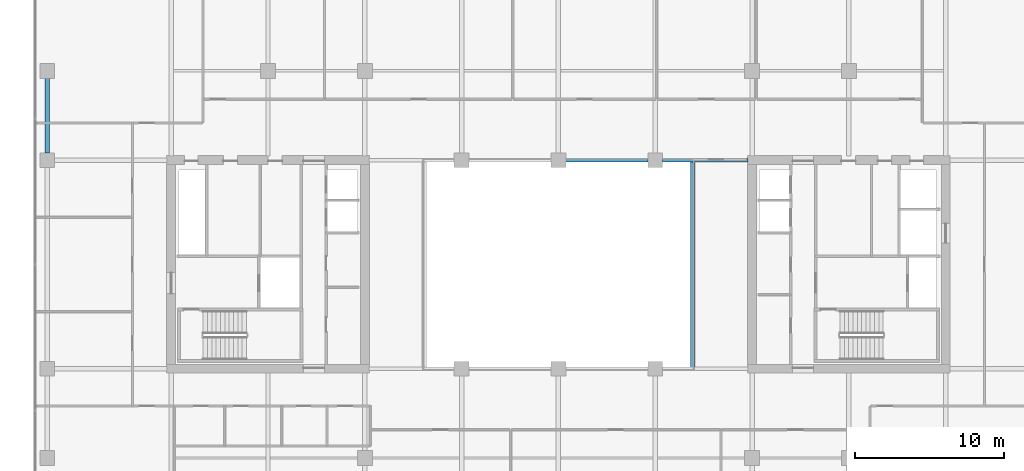
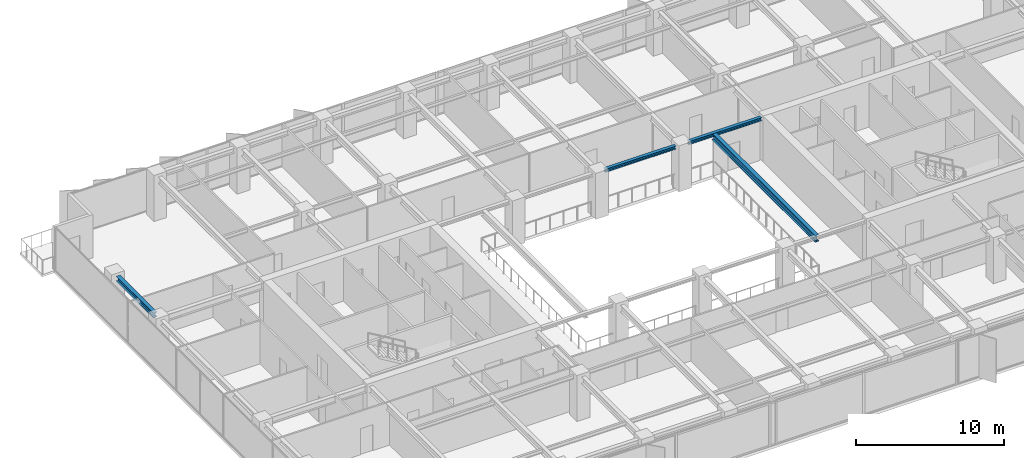
# One storey, part 7 of 22: 4 beams.
"""IFC4 building model written with IfcOpenShell, lengths in metres."""

from ifc_helpers import new_model, si_unit, direction, frame, origin, origin_2d, place, context, subcontext, project, spatial, i_section, extrude, material, material_profile, profile_set, type_object, element, save


model = new_model("IFC4")

# Units and contexts
model_context = context("Model", 3, precision=1e-05, world=origin(), true_north=direction((0.0, 1.0)))
body_context = subcontext(model_context, "Body", "Model", "MODEL_VIEW")
ifc_project = project(units=[si_unit("LENGTHUNIT", "METRE"), si_unit("AREAUNIT", "SQUARE_METRE"), si_unit("VOLUMEUNIT", "CUBIC_METRE"), si_unit("PLANEANGLEUNIT", "RADIAN"), si_unit("MASSUNIT", "GRAM", prefix="KILO")], contexts=[model_context])

# Site, building, storey
site_placement = place(None, origin())
site = spatial("IfcSite", under=ifc_project, at=site_placement, CompositionType="ELEMENT")
building_placement = place(site_placement, origin())
building = spatial("IfcBuilding", under=site, at=building_placement, Name="Putna Gate Headquarters", CompositionType="ELEMENT")
storey_placement = place(building_placement, frame((0.0, 0.0, 151.800048828125)))
storey = spatial("IfcBuildingStorey", under=building, at=storey_placement, Name="L37", CompositionType="ELEMENT", Elevation=151.800048828125)

# Beams
ifc_material = material(Name="Steel S355J2", Category="steel")
ifc_material_profile_1 = material_profile(ifc_material, i_section(OverallWidth=0.260009765625, OverallDepth=0.260009765625, WebThickness=0.010009765625, FlangeThickness=0.017578125, at=origin_2d()), Name="Steel S355J2")
ifc_profile_set_1 = profile_set([ifc_material_profile_1], Name="Steel S355J2")
beam_type_1 = type_object("IfcBeamType", Name="BM-ATRIUM-HEB260", PredefinedType="BEAM", material=ifc_profile_set_1)
beam_1_placement = place(storey_placement, frame((39.488037109375, 33.0, 3.44189453125), z_axis=(1.0, 0.0, 0.0), x_axis=(0.0, 1.0, 0.0)))
element("IfcBeam", 1, at=beam_1_placement, inside=storey, type_object=beam_type_1, Name="L37 Atrium Edge Beam AN3", PredefinedType="BEAM", context=body_context, shape_type="SweptSolid", body=[
    extrude(i_section(OverallWidth=0.260009765625, OverallDepth=0.260009765625, WebThickness=0.010009765625, FlangeThickness=0.017578125, at=origin_2d()), origin(), (0.0, 0.0, 1.0), 5.52392578125),
])
beam_2_placement = place(storey_placement, frame((45.988037109375, 33.0, 3.44189453125), z_axis=(1.0, 0.0, 0.0), x_axis=(0.0, 1.0, 0.0)))
element("IfcBeam", 2, at=beam_2_placement, inside=storey, type_object=beam_type_1, Name="L37 Atrium Edge Beam AN4", PredefinedType="BEAM", context=body_context, shape_type="SweptSolid", body=[
    extrude(i_section(OverallWidth=0.260009765625, OverallDepth=0.260009765625, WebThickness=0.010009765625, FlangeThickness=0.017578125, at=origin_2d()), origin(), (0.0, 0.0, 1.0), 5.72705078125),
])
ifc_material_profile_2 = material_profile(ifc_material, i_section(OverallWidth=0.300048828125, OverallDepth=0.550048828125, WebThickness=0.014892578125, FlangeThickness=0.029052734375, at=origin_2d()), Name="Steel S355J2")
ifc_profile_set_2 = profile_set([ifc_material_profile_2], Name="Steel S355J2")
beam_type_2 = type_object("IfcBeamType", Name="BM-GIRD-Z3-HEB550", PredefinedType="USERDEFINED", material=ifc_profile_set_2)
beam_3_placement = place(storey_placement, frame((48.0, 19.010009765625, 3.296875), z_axis=(0.0, 1.0, 0.0), x_axis=(-1.0, 0.0, 0.0)))
element("IfcBeam", 3, at=beam_3_placement, inside=storey, type_object=beam_type_2, Name="L37 Atrium Trim Girder AE", ObjectType="GIRDER", PredefinedType="USERDEFINED", context=body_context, shape_type="SweptSolid", body=[
    extrude(i_section(OverallWidth=0.300048828125, OverallDepth=0.550048828125, WebThickness=0.014892578125, FlangeThickness=0.029052734375, at=origin_2d()), origin(), (0.0, 0.0, 1.0), 13.97998046875),
])
ifc_material_profile_3 = material_profile(ifc_material, i_section(OverallWidth=0.300048828125, OverallDepth=0.39990234375, WebThickness=0.013427734375, FlangeThickness=0.02392578125, at=origin_2d()), Name="Steel S355J2")
ifc_profile_set_3 = profile_set([ifc_material_profile_3], Name="Steel S355J2")
beam_type_3 = type_object("IfcBeamType", Name="BM-SPAN-Z3-HEB400", PredefinedType="SPANDREL", material=ifc_profile_set_3)
beam_4_placement = place(storey_placement, frame((4.679931640625, 33.488037109375, 3.3720703125), z_axis=(0.0, 1.0, 0.0), x_axis=(-1.0, 0.0, 0.0)))
element("IfcBeam", 4, at=beam_4_placement, inside=storey, type_object=beam_type_3, Name="L37 W End Spandrel 3", PredefinedType="SPANDREL", context=body_context, shape_type="SweptSolid", body=[
    extrude(i_section(OverallWidth=0.300048828125, OverallDepth=0.39990234375, WebThickness=0.013427734375, FlangeThickness=0.02392578125, at=origin_2d()), origin(), (0.0, 0.0, 1.0), 5.02392578125),
])

save(model, "model.ifc")
